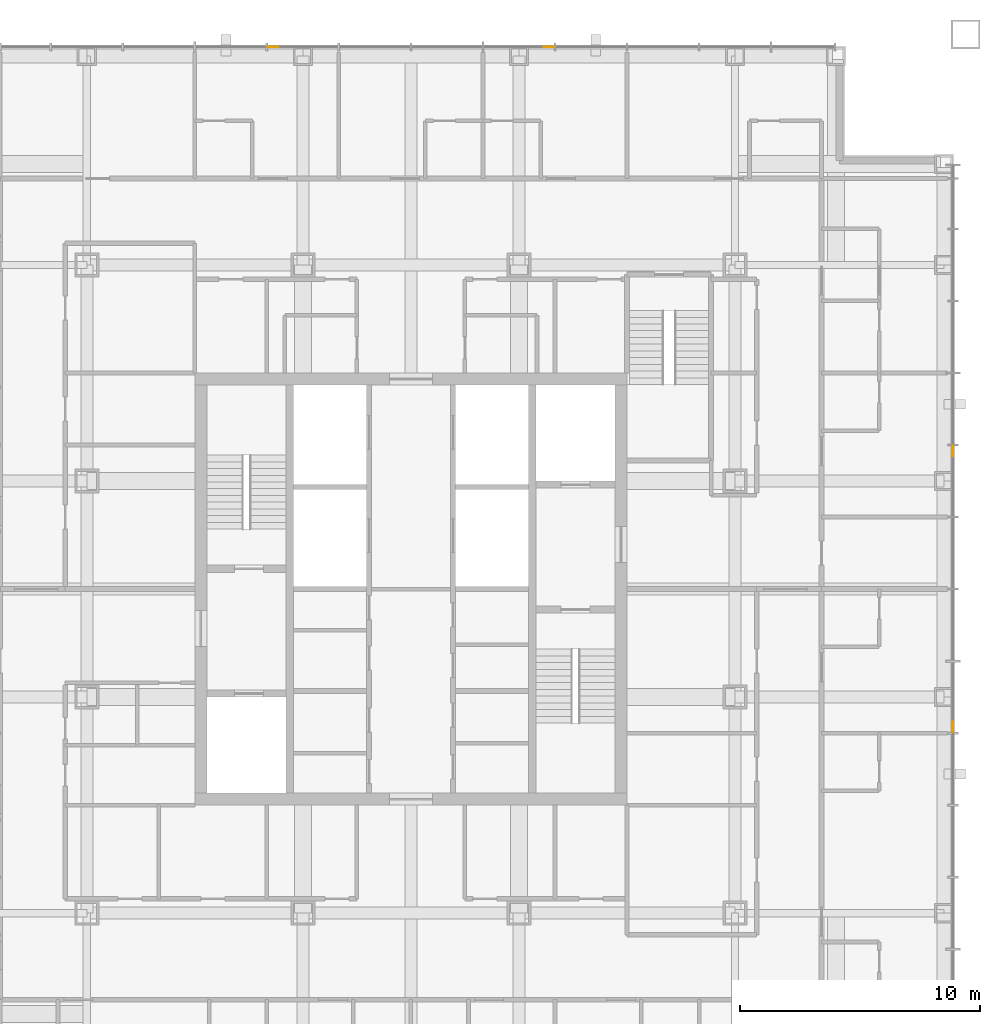
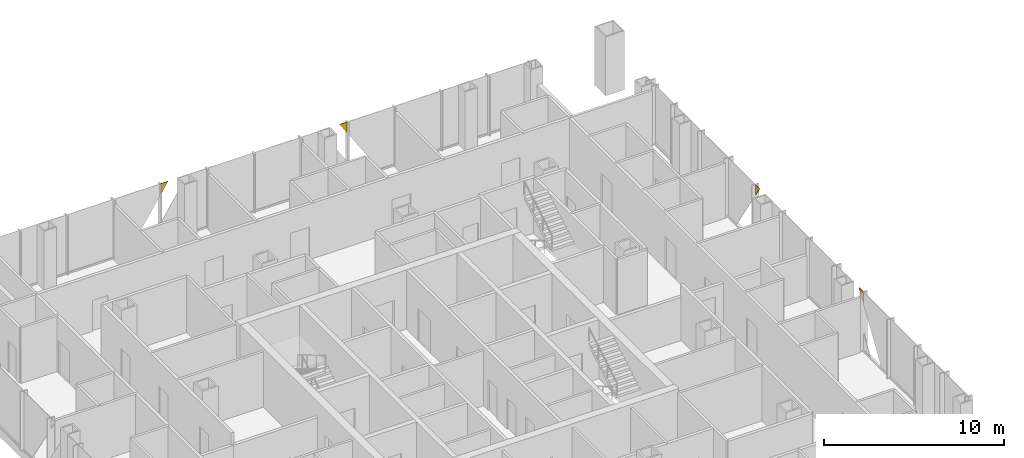
# One storey, part 20 of 20: 4 coverings.
"""IFC4 building model written with IfcOpenShell, lengths in metres."""

from ifc_helpers import new_model, si_unit, direction, frame, origin, place, context, subcontext, project, spatial, polyline, outline, extrude, material, layer, layer_set, type_object, element, save


model = new_model("IFC4")

# Units and contexts
model_context = context("Model", 3, precision=1e-05, world=origin(), true_north=direction((0.0, 1.0)))
body_context = subcontext(model_context, "Body", "Model", "MODEL_VIEW")
ifc_project = project(units=[si_unit("LENGTHUNIT", "METRE"), si_unit("AREAUNIT", "SQUARE_METRE"), si_unit("VOLUMEUNIT", "CUBIC_METRE"), si_unit("PLANEANGLEUNIT", "RADIAN"), si_unit("MASSUNIT", "GRAM", prefix="KILO")], contexts=[model_context])

# Site, building, storey
site_placement = place(None, origin())
site = spatial("IfcSite", under=ifc_project, at=site_placement, CompositionType="ELEMENT")
building_placement = place(site_placement, origin())
building = spatial("IfcBuilding", under=site, at=building_placement, Name="Malebo Sky Hospital", CompositionType="ELEMENT")
storey_placement = place(building_placement, frame((0.0, 0.0, 233.0)))
storey = spatial("IfcBuildingStorey", under=building, at=storey_placement, Name="L56", CompositionType="ELEMENT", Elevation=233.0)

# Coverings
ifc_material = material(Name="Anodised aluminium, natural silver insulated infill panel", Category="aluminium")
ifc_layer = layer(ifc_material, 0.0400390625)
ifc_layer_set = layer_set([ifc_layer], Name="BRACE INFILL PANEL 40")
covering_type = type_object("IfcCoveringType", Name="BRACE INFILL PANEL 40", PredefinedType="CLADDING", material=ifc_layer_set)
covering_1_placement = place(storey_placement, frame((54.264892578125, 84.574951171875, 3.281005859375), z_axis=(0.0, 0.0, 1.0), x_axis=(1.0, 0.0, 0.0)))
element("IfcCovering", 1, at=covering_1_placement, inside=storey, type_object=covering_type, Name="Brace infill panel 6.1", PredefinedType="CLADDING", context=body_context, shape_type="SweptSolid", body=[
    extrude(outline(polyline([(-0.2275390625, 0.0), (0.2275390625, 0.708984375), (-0.2275390625, 0.708984375), (-0.2275390625, 0.0)])), frame((0.0, 0.02001953125, 0.0), z_axis=(0.0, -1.0, 0.0), x_axis=(1.0, 0.0, 0.0)), (0.0, 0.0, 1.0), 0.0400390625),
])
covering_2_placement = place(storey_placement, frame((65.735107421875, 84.574951171875, 3.281005859375), z_axis=(0.0, 0.0, 1.0), x_axis=(1.0, 0.0, 0.0)))
element("IfcCovering", 2, at=covering_2_placement, inside=storey, type_object=covering_type, Name="Brace infill panel 9.1", PredefinedType="CLADDING", context=body_context, shape_type="SweptSolid", body=[
    extrude(outline(polyline([(0.2275390625, 0.0), (0.2275390625, 0.708984375), (-0.2275390625, 0.708984375), (0.2275390625, 0.0)])), frame((0.0, 0.02001953125, 0.0), z_axis=(0.0, -1.0, 0.0), x_axis=(1.0, 0.0, 0.0)), (0.0, 0.0, 1.0), 0.0400390625),
])
covering_3_placement = place(storey_placement, frame((82.574951171875, 67.735107421875, 3.281005859375), z_axis=(0.0, 0.0, 1.0), x_axis=(0.0, -1.0, 0.0)))
element("IfcCovering", 3, at=covering_3_placement, inside=storey, type_object=covering_type, Name="Brace infill panel 6.1", PredefinedType="CLADDING", context=body_context, shape_type="SweptSolid", body=[
    extrude(outline(polyline([(-0.2275390625, 0.0), (0.2275390625, 0.708984375), (-0.2275390625, 0.708984375), (-0.2275390625, 0.0)])), frame((0.0, 0.02001953125, 0.0), z_axis=(0.0, -1.0, 0.0), x_axis=(1.0, 0.0, 0.0)), (0.0, 0.0, 1.0), 0.0400390625),
])
covering_4_placement = place(storey_placement, frame((82.574951171875, 56.264892578125, 3.281005859375), z_axis=(0.0, 0.0, 1.0), x_axis=(0.0, -1.0, 0.0)))
element("IfcCovering", 4, at=covering_4_placement, inside=storey, type_object=covering_type, Name="Brace infill panel 9.1", PredefinedType="CLADDING", context=body_context, shape_type="SweptSolid", body=[
    extrude(outline(polyline([(0.2275390625, 0.0), (0.2275390625, 0.708984375), (-0.2275390625, 0.708984375), (0.2275390625, 0.0)])), frame((0.0, 0.02001953125, 0.0), z_axis=(0.0, -1.0, 0.0), x_axis=(1.0, 0.0, 0.0)), (0.0, 0.0, 1.0), 0.0400390625),
])

save(model, "model.ifc")
